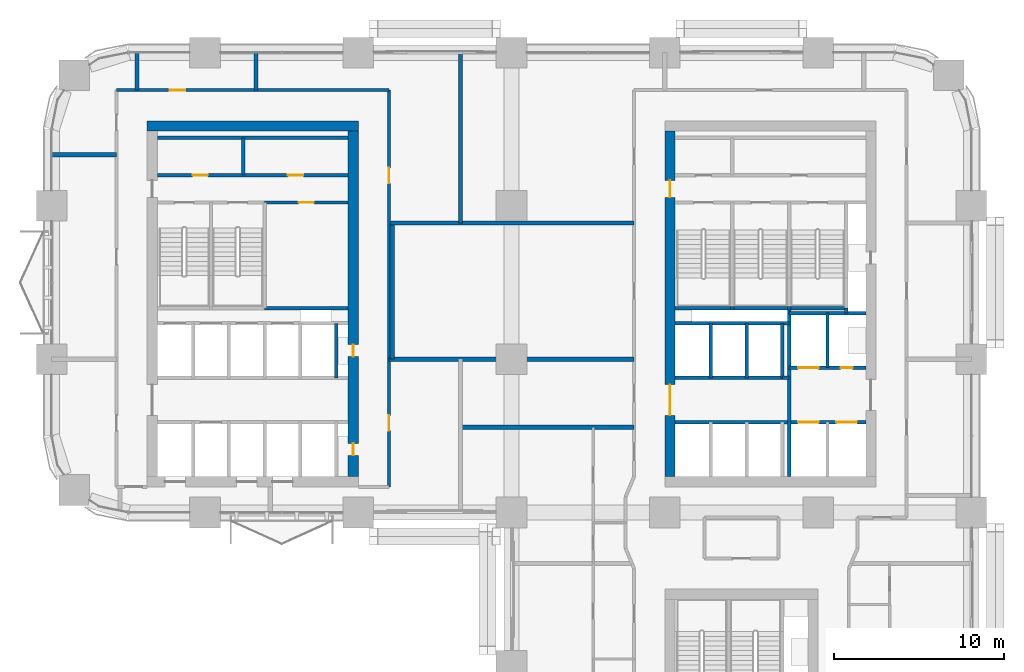
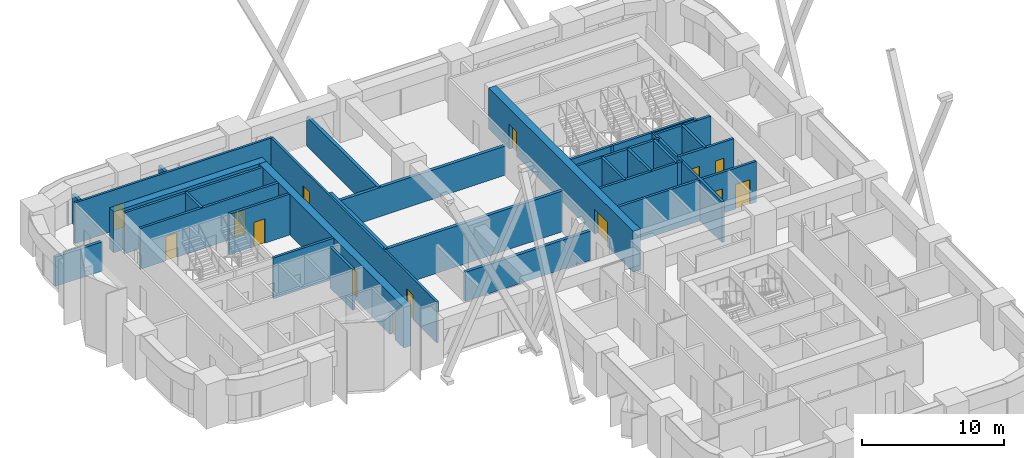
# One storey, part 15 of 19: 36 walls, 14 doors, 14 openings.
"""IFC4 building model written with IfcOpenShell, lengths in metres."""

from ifc_helpers import new_model, si_unit, direction, frame, frame_2d, origin, place, context, subcontext, project, spatial, rectangle, extrude, material, layer, layer_set, type_object, element, fill, save


model = new_model("IFC4")

# Units and contexts
model_context = context("Model", 3, precision=1e-05, world=origin(), true_north=direction((0.0, 1.0)))
body_context = subcontext(model_context, "Body", "Model", "MODEL_VIEW")
ifc_project = project(units=[si_unit("LENGTHUNIT", "METRE"), si_unit("AREAUNIT", "SQUARE_METRE"), si_unit("VOLUMEUNIT", "CUBIC_METRE"), si_unit("PLANEANGLEUNIT", "RADIAN"), si_unit("MASSUNIT", "GRAM", prefix="KILO")], contexts=[model_context])

# Site, building, storey
site_placement = place(None, origin())
site = spatial("IfcSite", under=ifc_project, at=site_placement, CompositionType="ELEMENT")
building_placement = place(site_placement, origin())
building = spatial("IfcBuilding", under=site, at=building_placement, Name="Tessera Arch", CompositionType="ELEMENT")
storey_placement = place(building_placement, frame((0.0, 0.0, 108.199951171875)))
storey = spatial("IfcBuildingStorey", under=building, at=storey_placement, Name="L25", CompositionType="ELEMENT", Elevation=108.199951171875)

# Walls
ifc_material_1 = material(Name="Gypsum board on steel stud", Category="steel")
ifc_layer_1 = layer(ifc_material_1, 0.125)
ifc_layer_set_1 = layer_set([ifc_layer_1], Name="Core partition 125 EI 60")
wall_type_1 = type_object("IfcWallType", Name="Core partition 125 EI 60", PredefinedType="PARTITIONING", material=ifc_layer_set_1)
wall_1_placement = place(storey_placement, frame((42.89990234375, 34.89990234375, 0.0), z_axis=(0.0, 0.0, 1.0), x_axis=(1.0, 0.0, 0.0)))
element("IfcWall", 1, at=wall_1_placement, inside=storey, type_object=wall_type_1, Name="L25 C1 partition wall 19", PredefinedType="PARTITIONING", context=body_context, shape_type="SweptSolid", body=[
    extrude(rectangle(XDim=0.400146484375, YDim=0.199951171875, at=frame_2d((0.2001953125, 0.0))), origin(), (0.0, 0.0, 1.0), 3.5),
])
wall_2_placement = place(storey_placement, frame((11.239990234375, 46.800048828125, 0.0), z_axis=(0.0, 0.0, 1.0), x_axis=(0.0, 1.0, 0.0)))
element("IfcWall", 2, at=wall_2_placement, inside=storey, type_object=wall_type_1, Name="L25 C2 partition wall 7", PredefinedType="PARTITIONING", context=body_context, shape_type="SweptSolid", body=[
    extrude(rectangle(XDim=2.199951171875, YDim=0.199951171875, at=frame_2d((1.10009765625, 0.0))), origin(), (0.0, 0.0, 1.0), 3.5),
])

# Wall, opening, door
wall_3_placement = place(storey_placement, frame((12.5, 45.199951171875, 0.0), z_axis=(0.0, 0.0, 1.0), x_axis=(1.0, 0.0, 0.0)))
wall_3 = element("IfcWall", 3, at=wall_3_placement, inside=storey, type_object=wall_type_1, Name="L25 C2 partition wall 23", PredefinedType="PARTITIONING", context=body_context, shape_type="SweptSolid", body=[
    extrude(rectangle(XDim=4.89990234375, YDim=0.199951171875, at=frame_2d((2.449951171875, 0.0))), origin(), (0.0, 0.0, 1.0), 3.5),
])
opening_1_placement = place(wall_3_placement, frame((2.0, 0.0, 0.0)))
opening_1 = element("IfcOpeningElement", 4, at=opening_1_placement, cuts=wall_3, Name="Opening L25-C30", PredefinedType="OPENING", context=body_context, shape_type="SweptSolid", body=[
    extrude(rectangle(XDim=0.89990234375, YDim=2.10009765625, at=frame_2d((0.449951171875, 1.050048828125))), frame((0.0, 0.10986328125, 0.0), z_axis=(0.0, -1.0, 0.0), x_axis=(1.0, 0.0, 0.0)), (0.0, 0.0, 1.0), 0.219970703125),
])
ifc_material_2 = material(Name="Steel door leaf", Category="steel")
door_type_1 = type_object("IfcDoorType", Name="Store door FD30S 900 x 2100", OperationType="SINGLE_SWING_LEFT", PredefinedType="DOOR", material=ifc_material_2)
door_1_placement = place(opening_1_placement, origin())
door_1 = element("IfcDoor", 5, at=door_1_placement, inside=storey, type_object=door_type_1, Name="L25 C2 door 17 C30 type D09", OperationType="SINGLE_SWING_RIGHT", OverallHeight=2.10009765625, OverallWidth=0.89990234375, PredefinedType="DOOR", context=body_context, shape_type="SweptSolid", body=[
    extrude(rectangle(XDim=0.89990234375, YDim=2.10009765625, at=frame_2d((0.449951171875, 1.050048828125))), frame((0.0, 0.02490234375, 0.0), z_axis=(0.0, -1.0, 0.0), x_axis=(1.0, 0.0, 0.0)), (0.0, 0.0, 1.0), 0.050048828125),
])
fill(opening_1, door_1)

# Wall, openings, doors
wall_4_placement = place(storey_placement, frame((6.199951171875, 46.800048828125, 0.0), z_axis=(0.0, 0.0, 1.0), x_axis=(1.0, 0.0, 0.0)))
wall_4 = element("IfcWall", 6, at=wall_4_placement, inside=storey, type_object=wall_type_1, Name="L25 C2 partition wall 25", PredefinedType="PARTITIONING", context=body_context, shape_type="SweptSolid", body=[
    extrude(rectangle(XDim=11.199951171875, YDim=0.199951171875, at=frame_2d((5.60009765625, 0.0))), origin(), (0.0, 0.0, 1.0), 3.5),
])
opening_2_placement = place(wall_4_placement, frame((2.070068359375, 0.0, 0.0)))
opening_2 = element("IfcOpeningElement", 7, at=opening_2_placement, cuts=wall_4, Name="Opening L25-C28", PredefinedType="OPENING", context=body_context, shape_type="SweptSolid", body=[
    extrude(rectangle(XDim=0.89990234375, YDim=2.10009765625, at=frame_2d((0.449951171875, 1.050048828125))), frame((0.0, 0.10986328125, 0.0), z_axis=(0.0, -1.0, 0.0), x_axis=(1.0, 0.0, 0.0)), (0.0, 0.0, 1.0), 0.219970703125),
])
opening_3_placement = place(wall_4_placement, frame((7.669921875, 0.0, 0.0)))
opening_3 = element("IfcOpeningElement", 8, at=opening_3_placement, cuts=wall_4, Name="Opening L25-C29", PredefinedType="OPENING", context=body_context, shape_type="SweptSolid", body=[
    extrude(rectangle(XDim=0.89990234375, YDim=2.10009765625, at=frame_2d((0.449951171875, 1.050048828125))), frame((0.0, 0.10986328125, 0.0), z_axis=(0.0, -1.0, 0.0), x_axis=(1.0, 0.0, 0.0)), (0.0, 0.0, 1.0), 0.219970703125),
])
door_2_placement = place(opening_2_placement, origin())
door_2 = element("IfcDoor", 9, at=door_2_placement, inside=storey, type_object=door_type_1, Name="L25 C2 door 15 C28 type D09", OperationType="SINGLE_SWING_LEFT", OverallHeight=2.10009765625, OverallWidth=0.89990234375, PredefinedType="DOOR", context=body_context, shape_type="SweptSolid", body=[
    extrude(rectangle(XDim=0.89990234375, YDim=2.10009765625, at=frame_2d((0.449951171875, 1.050048828125))), frame((0.0, 0.02490234375, 0.0), z_axis=(0.0, -1.0, 0.0), x_axis=(1.0, 0.0, 0.0)), (0.0, 0.0, 1.0), 0.050048828125),
])
fill(opening_2, door_2)
door_3_placement = place(opening_3_placement, origin())
door_3 = element("IfcDoor", 10, at=door_3_placement, inside=storey, type_object=door_type_1, Name="L25 C2 door 16 C29 type D09", OperationType="SINGLE_SWING_RIGHT", OverallHeight=2.10009765625, OverallWidth=0.89990234375, PredefinedType="DOOR", context=body_context, shape_type="SweptSolid", body=[
    extrude(rectangle(XDim=0.89990234375, YDim=2.10009765625, at=frame_2d((0.449951171875, 1.050048828125))), frame((0.0, 0.02490234375, 0.0), z_axis=(0.0, -1.0, 0.0), x_axis=(1.0, 0.0, 0.0)), (0.0, 0.0, 1.0), 0.050048828125),
])
fill(opening_3, door_3)

# Wall
wall_5_placement = place(storey_placement, frame((6.199951171875, 49.0, 0.0), z_axis=(0.0, 0.0, 1.0), x_axis=(1.0, 0.0, 0.0)))
element("IfcWall", 11, at=wall_5_placement, inside=storey, type_object=wall_type_1, Name="L25 C2 partition wall 26", PredefinedType="PARTITIONING", context=body_context, shape_type="SweptSolid", body=[
    extrude(rectangle(XDim=11.199951171875, YDim=0.199951171875, at=frame_2d((5.60009765625, 0.0))), origin(), (0.0, 0.0, 1.0), 3.5),
])

# Wall, openings, doors
ifc_material_3 = material(Name="Concrete C70/85", Category="concrete")
ifc_layer_2 = layer(ifc_material_3, 0.60009765625)
ifc_layer_set_2 = layer_set([ifc_layer_2], Name="Core shell wall 600 C70-85")
wall_type_2 = type_object("IfcWallType", Name="Core shell wall 600 C70-85", PredefinedType="SHEAR", material=ifc_layer_set_2)
wall_6_placement = place(storey_placement, frame((36.300048828125, 29.10009765625, 0.0), z_axis=(0.0, 0.0, 1.0), x_axis=(0.0, 1.0, 0.0)))
wall_6 = element("IfcWall", 12, at=wall_6_placement, inside=storey, type_object=wall_type_2, Name="L25 C1 core wall W", PredefinedType="SHEAR", context=body_context, shape_type="SweptSolid", body=[
    extrude(rectangle(XDim=20.2998046875, YDim=0.60009765625, at=frame_2d((10.14990234375, 0.0))), origin(), (0.0, 0.0, 1.0), 3.5),
])
opening_4_placement = place(wall_6_placement, frame((3.60009765625, 0.0, 0.0)))
opening_4 = element("IfcOpeningElement", 13, at=opening_4_placement, cuts=wall_6, Name="Opening L25-C04", PredefinedType="OPENING", context=body_context, shape_type="SweptSolid", body=[
    extrude(rectangle(XDim=1.800048828125, YDim=2.10009765625, at=frame_2d((0.89990234375, 1.050048828125))), frame((0.0, 0.31005859375, 0.0), z_axis=(0.0, -1.0, 0.0), x_axis=(1.0, 0.0, 0.0)), (0.0, 0.0, 1.0), 0.6201171875),
])
opening_5_placement = place(wall_6_placement, frame((16.39990234375, 0.0, 0.0)))
opening_5 = element("IfcOpeningElement", 14, at=opening_5_placement, cuts=wall_6, Name="Opening L25-C11", PredefinedType="OPENING", context=body_context, shape_type="SweptSolid", body=[
    extrude(rectangle(XDim=1.0, YDim=2.10009765625, at=frame_2d((0.5, 1.050048828125))), frame((0.0, 0.31005859375, 0.0), z_axis=(0.0, -1.0, 0.0), x_axis=(1.0, 0.0, 0.0)), (0.0, 0.0, 1.0), 0.6201171875),
])
ifc_material_4 = material(Name="Steel door leaf", Category="steel")
door_type_2 = type_object("IfcDoorType", Name="Corridor door FD60 1000 x 2100", OperationType="SINGLE_SWING_LEFT", PredefinedType="DOOR", material=ifc_material_4)
door_4_placement = place(opening_5_placement, origin())
door_4 = element("IfcDoor", 15, at=door_4_placement, inside=storey, type_object=door_type_2, Name="L25 C1 door 11 C11 type D12", OperationType="SINGLE_SWING_RIGHT", OverallHeight=2.10009765625, OverallWidth=1.0, PredefinedType="DOOR", context=body_context, shape_type="SweptSolid", body=[
    extrude(rectangle(XDim=1.0, YDim=2.10009765625, at=frame_2d((0.5, 1.050048828125))), frame((0.0, 0.02490234375, 0.0), z_axis=(0.0, -1.0, 0.0), x_axis=(1.0, 0.0, 0.0)), (0.0, 0.0, 1.0), 0.050048828125),
])
fill(opening_5, door_4)
ifc_material_5 = material(Name="Glazed steel door leaf", Category="steel")
door_type_3 = type_object("IfcDoorType", Name="Lobby double door FD30S 1800 x 2100", OperationType="DOUBLE_DOOR_SINGLE_SWING", PredefinedType="DOOR", material=ifc_material_5)
door_5_placement = place(opening_4_placement, origin())
door_5 = element("IfcDoor", 16, at=door_5_placement, inside=storey, type_object=door_type_3, Name="L25 C1 door 4 C04 type D06", OperationType="DOUBLE_DOOR_SINGLE_SWING", OverallHeight=2.10009765625, OverallWidth=1.800048828125, PredefinedType="DOOR", context=body_context, shape_type="SweptSolid", body=[
    extrude(rectangle(XDim=1.800048828125, YDim=2.10009765625, at=frame_2d((0.89990234375, 1.050048828125))), frame((0.0, 0.02490234375, 0.0), z_axis=(0.0, -1.0, 0.0), x_axis=(1.0, 0.0, 0.0)), (0.0, 0.0, 1.0), 0.050048828125),
])
fill(opening_4, door_5)

# Wall
wall_7_placement = place(storey_placement, frame((5.60009765625, 49.699951171875, 0.0), z_axis=(0.0, 0.0, 1.0), x_axis=(1.0, 0.0, 0.0)))
element("IfcWall", 17, at=wall_7_placement, inside=storey, type_object=wall_type_2, Name="L25 C2 core wall N", PredefinedType="SHEAR", context=body_context, shape_type="SweptSolid", body=[
    extrude(rectangle(XDim=12.39990234375, YDim=0.60009765625, at=frame_2d((6.199951171875, 0.0))), origin(), (0.0, 0.0, 1.0), 3.5),
])

# Wall, openings, doors
wall_8_placement = place(storey_placement, frame((17.699951171875, 29.10009765625, 0.0), z_axis=(0.0, 0.0, 1.0), x_axis=(0.0, 1.0, 0.0)))
wall_8 = element("IfcWall", 18, at=wall_8_placement, inside=storey, type_object=wall_type_2, Name="L25 C2 core wall E", PredefinedType="SHEAR", context=body_context, shape_type="SweptSolid", body=[
    extrude(rectangle(XDim=20.2998046875, YDim=0.60009765625, at=frame_2d((10.14990234375, 0.0))), origin(), (0.0, 0.0, 1.0), 3.5),
])
opening_6_placement = place(wall_8_placement, frame((1.25, 0.0, 0.0)))
opening_6 = element("IfcOpeningElement", 19, at=opening_6_placement, cuts=wall_8, Name="Opening L25-C22", PredefinedType="OPENING", context=body_context, shape_type="SweptSolid", body=[
    extrude(rectangle(XDim=0.699951171875, YDim=2.10009765625, at=frame_2d((0.35009765625, 1.050048828125))), frame((0.0, 0.31005859375, 0.0), z_axis=(0.0, -1.0, 0.0), x_axis=(1.0, 0.0, 0.0)), (0.0, 0.0, 1.0), 0.6201171875),
])
opening_7_placement = place(wall_8_placement, frame((7.050048828125, 0.0, 0.0)))
opening_7 = element("IfcOpeningElement", 20, at=opening_7_placement, cuts=wall_8, Name="Opening L25-C23", PredefinedType="OPENING", context=body_context, shape_type="SweptSolid", body=[
    extrude(rectangle(XDim=0.699951171875, YDim=2.10009765625, at=frame_2d((0.35009765625, 1.050048828125))), frame((0.0, 0.31005859375, 0.0), z_axis=(0.0, -1.0, 0.0), x_axis=(1.0, 0.0, 0.0)), (0.0, 0.0, 1.0), 0.6201171875),
])
ifc_material_6 = material(Name="Steel door leaf", Category="steel")
door_type_4 = type_object("IfcDoorType", Name="Service shaft door FD60 700 x 2100", OperationType="SINGLE_SWING_LEFT", PredefinedType="DOOR", material=ifc_material_6)
door_6_placement = place(opening_6_placement, origin())
door_6 = element("IfcDoor", 21, at=door_6_placement, inside=storey, type_object=door_type_4, Name="L25 C2 door 9 C22 type D07", OperationType="SINGLE_SWING_LEFT", OverallHeight=2.10009765625, OverallWidth=0.699951171875, PredefinedType="DOOR", context=body_context, shape_type="SweptSolid", body=[
    extrude(rectangle(XDim=0.699951171875, YDim=2.10009765625, at=frame_2d((0.35009765625, 1.050048828125))), frame((0.0, 0.02490234375, 0.0), z_axis=(0.0, -1.0, 0.0), x_axis=(1.0, 0.0, 0.0)), (0.0, 0.0, 1.0), 0.050048828125),
])
fill(opening_6, door_6)
door_7_placement = place(opening_7_placement, origin())
door_7 = element("IfcDoor", 22, at=door_7_placement, inside=storey, type_object=door_type_4, Name="L25 C2 door 10 C23 type D07", OperationType="SINGLE_SWING_LEFT", OverallHeight=2.10009765625, OverallWidth=0.699951171875, PredefinedType="DOOR", context=body_context, shape_type="SweptSolid", body=[
    extrude(rectangle(XDim=0.699951171875, YDim=2.10009765625, at=frame_2d((0.35009765625, 1.050048828125))), frame((0.0, 0.02490234375, 0.0), z_axis=(0.0, -1.0, 0.0), x_axis=(1.0, 0.0, 0.0)), (0.0, 0.0, 1.0), 0.050048828125),
])
fill(opening_7, door_7)

# Wall, opening, door
ifc_material_7 = material(Name="Gypsum board on deep steel stud with mineral wool", Category="steel")
ifc_layer_3 = layer(ifc_material_7, 0.175048828125)
ifc_layer_set_3 = layer_set([ifc_layer_3], Name="Corridor wall 175 EI 60")
wall_type_3 = type_object("IfcWallType", Name="Corridor wall 175 EI 60", PredefinedType="PARTITIONING", material=ifc_layer_set_3)
wall_9_placement = place(storey_placement, frame((3.800048828125, 51.800048828125, 0.0), z_axis=(0.0, 0.0, 1.0), x_axis=(1.0, 0.0, 0.0)))
wall_9 = element("IfcWall", 23, at=wall_9_placement, inside=storey, type_object=wall_type_3, Name="L25 partition 7", PredefinedType="PARTITIONING", context=body_context, shape_type="SweptSolid", body=[
    extrude(rectangle(XDim=16.0, YDim=0.175048828125, at=frame_2d((8.0, 0.0))), origin(), (0.0, 0.0, 1.0), 3.5),
])
opening_8_placement = place(wall_9_placement, frame((3.136962890625, 0.0, 0.0)))
opening_8 = element("IfcOpeningElement", 24, at=opening_8_placement, cuts=wall_9, Name="Opening L25-D037", PredefinedType="OPENING", context=body_context, shape_type="SweptSolid", body=[
    extrude(rectangle(XDim=0.89990234375, YDim=2.10009765625, at=frame_2d((0.449951171875, 1.050048828125))), frame((0.0, 0.097412109375, 0.0), z_axis=(0.0, -1.0, 0.0), x_axis=(1.0, 0.0, 0.0)), (0.0, 0.0, 1.0), 0.195068359375),
])
ifc_material_8 = material(Name="Timber door leaf", Category="wood")
door_type_5 = type_object("IfcDoorType", Name="Room door 900 x 2100", OperationType="SINGLE_SWING_LEFT", PredefinedType="DOOR", material=ifc_material_8)
door_8_placement = place(opening_8_placement, origin())
door_8 = element("IfcDoor", 25, at=door_8_placement, inside=storey, type_object=door_type_5, Name="L25 door D037 type D01", OperationType="SINGLE_SWING_LEFT", OverallHeight=2.10009765625, OverallWidth=0.89990234375, PredefinedType="DOOR", context=body_context, shape_type="SweptSolid", body=[
    extrude(rectangle(XDim=0.89990234375, YDim=2.10009765625, at=frame_2d((0.449951171875, 1.050048828125))), frame((0.0, 0.02490234375, 0.0), z_axis=(0.0, -1.0, 0.0), x_axis=(1.0, 0.0, 0.0)), (0.0, 0.0, 1.0), 0.050048828125),
])
fill(opening_8, door_8)

# Wall, openings, doors
wall_10_placement = place(storey_placement, frame((19.800048828125, 28.5, 0.0), z_axis=(0.0, 0.0, 1.0), x_axis=(0.0, 1.0, 0.0)))
wall_10 = element("IfcWall", 26, at=wall_10_placement, inside=storey, type_object=wall_type_3, Name="L25 partition 10", PredefinedType="PARTITIONING", context=body_context, shape_type="SweptSolid", body=[
    extrude(rectangle(XDim=23.300048828125, YDim=0.175048828125, at=frame_2d((11.64990234375, 0.0))), origin(), (0.0, 0.0, 1.0), 3.5),
])
opening_9_placement = place(wall_10_placement, frame((3.300048828125, 0.0, 0.0)))
opening_9 = element("IfcOpeningElement", 27, at=opening_9_placement, cuts=wall_10, Name="Opening L25-D026", PredefinedType="OPENING", context=body_context, shape_type="SweptSolid", body=[
    extrude(rectangle(XDim=0.89990234375, YDim=2.10009765625, at=frame_2d((0.449951171875, 1.050048828125))), frame((0.0, 0.097412109375, 0.0), z_axis=(0.0, -1.0, 0.0), x_axis=(1.0, 0.0, 0.0)), (0.0, 0.0, 1.0), 0.195068359375),
])
opening_10_placement = place(wall_10_placement, frame((17.830078125, 0.0, 0.0)))
opening_10 = element("IfcOpeningElement", 28, at=opening_10_placement, cuts=wall_10, Name="Opening L25-D035", PredefinedType="OPENING", context=body_context, shape_type="SweptSolid", body=[
    extrude(rectangle(XDim=0.89990234375, YDim=2.10009765625, at=frame_2d((0.449951171875, 1.050048828125))), frame((0.0, 0.097412109375, 0.0), z_axis=(0.0, -1.0, 0.0), x_axis=(1.0, 0.0, 0.0)), (0.0, 0.0, 1.0), 0.195068359375),
])
door_9_placement = place(opening_9_placement, origin())
door_9 = element("IfcDoor", 29, at=door_9_placement, inside=storey, type_object=door_type_5, Name="L25 door D026 type D01", OperationType="SINGLE_SWING_LEFT", OverallHeight=2.10009765625, OverallWidth=0.89990234375, PredefinedType="DOOR", context=body_context, shape_type="SweptSolid", body=[
    extrude(rectangle(XDim=0.89990234375, YDim=2.10009765625, at=frame_2d((0.449951171875, 1.050048828125))), frame((0.0, 0.02490234375, 0.0), z_axis=(0.0, -1.0, 0.0), x_axis=(1.0, 0.0, 0.0)), (0.0, 0.0, 1.0), 0.050048828125),
])
fill(opening_9, door_9)
door_10_placement = place(opening_10_placement, origin())
door_10 = element("IfcDoor", 30, at=door_10_placement, inside=storey, type_object=door_type_5, Name="L25 door D035 type D01", OperationType="SINGLE_SWING_RIGHT", OverallHeight=2.10009765625, OverallWidth=0.89990234375, PredefinedType="DOOR", context=body_context, shape_type="SweptSolid", body=[
    extrude(rectangle(XDim=0.89990234375, YDim=2.10009765625, at=frame_2d((0.449951171875, 1.050048828125))), frame((0.0, 0.02490234375, 0.0), z_axis=(0.0, -1.0, 0.0), x_axis=(1.0, 0.0, 0.0)), (0.0, 0.0, 1.0), 0.050048828125),
])
fill(opening_10, door_10)

# Walls
ifc_material_9 = material(Name="Double gypsum board on twin steel stud with acoustic mineral wool", Category="steel")
ifc_layer_4 = layer(ifc_material_9, 0.25)
ifc_layer_set_4 = layer_set([ifc_layer_4], Name="Party wall 250 EI 60")
wall_type_4 = type_object("IfcWallType", Name="Party wall 250 EI 60", PredefinedType="PARTITIONING", material=ifc_layer_set_4)
wall_11_placement = place(storey_placement, frame((24.0, 32.0, 0.0), z_axis=(0.0, 0.0, 1.0), x_axis=(1.0, 0.0, 0.0)))
element("IfcWall", 31, at=wall_11_placement, inside=storey, type_object=wall_type_4, Name="L25 partition 33", PredefinedType="PARTITIONING", context=body_context, shape_type="SweptSolid", body=[
    extrude(rectangle(XDim=10.199951171875, YDim=0.25, at=frame_2d((5.10009765625, 0.0))), origin(), (0.0, 0.0, 1.0), 2.5),
])
wall_12_placement = place(storey_placement, frame((19.800048828125, 36.0, 0.0), z_axis=(0.0, 0.0, 1.0), x_axis=(1.0, 0.0, 0.0)))
element("IfcWall", 32, at=wall_12_placement, inside=storey, type_object=wall_type_4, Name="L25 partition 35", PredefinedType="PARTITIONING", context=body_context, shape_type="SweptSolid", body=[
    extrude(rectangle(XDim=14.39990234375, YDim=0.25, at=frame_2d((7.199951171875, 0.0))), origin(), (0.0, 0.0, 1.0), 3.5),
])
wall_13_placement = place(storey_placement, frame((19.875, 44.0, 0.0), z_axis=(0.0, 0.0, 1.0), x_axis=(1.0, 0.0, 0.0)))
element("IfcWall", 33, at=wall_13_placement, inside=storey, type_object=wall_type_4, Name="L25 partition 37", PredefinedType="PARTITIONING", context=body_context, shape_type="SweptSolid", body=[
    extrude(rectangle(XDim=14.324951171875, YDim=0.25, at=frame_2d((7.16259765625, 0.0))), origin(), (0.0, 0.0, 1.0), 2.5),
])
wall_14_placement = place(storey_placement, frame((0.0, 48.0, 0.0), z_axis=(0.0, 0.0, 1.0), x_axis=(1.0, 0.0, 0.0)))
element("IfcWall", 34, at=wall_14_placement, inside=storey, type_object=wall_type_4, Name="L25 partition 39", PredefinedType="PARTITIONING", context=body_context, shape_type="SweptSolid", body=[
    extrude(rectangle(XDim=3.800048828125, YDim=0.25, at=frame_2d((1.89990234375, 0.0))), origin(), (0.0, 0.0, 1.0), 2.5),
])
for number, where, z_axis, x_axis, name in (
    (35, (5.010009765625, 51.800048828125, 0.0), (0.0, 0.0, 1.0), (0.0, 1.0, 0.0), "L25 partition 41"),
    (36, (12.0, 51.800048828125, 0.0), (0.0, 0.0, 1.0), (0.0, 1.0, 0.0), "L25 partition 42"),
):
    element("IfcWall", number, at=place(storey_placement, frame(where, z_axis=z_axis, x_axis=x_axis)), inside=storey, type_object=wall_type_4, Name=name, PredefinedType="PARTITIONING", context=body_context, shape_type="SweptSolid", body=[
        extrude(rectangle(XDim=2.199951171875, YDim=0.25, at=frame_2d((1.10009765625, 0.0))), origin(), (0.0, 0.0, 1.0), 2.5),
    ])
wall_15_placement = place(storey_placement, frame((20.0, 36.0, 0.0), z_axis=(0.0, 0.0, 1.0), x_axis=(0.0, 1.0, 0.0)))
element("IfcWall", 37, at=wall_15_placement, inside=storey, type_object=wall_type_4, Name="L25 partition 44", PredefinedType="PARTITIONING", context=body_context, shape_type="SweptSolid", body=[
    extrude(rectangle(XDim=7.875, YDim=0.25, at=frame_2d((3.9375, 0.0))), origin(), (0.0, 0.0, 1.0), 3.5),
])
wall_16_placement = place(storey_placement, frame((24.0, 44.0, 0.0), z_axis=(0.0, 0.0, 1.0), x_axis=(0.0, 1.0, 0.0)))
element("IfcWall", 38, at=wall_16_placement, inside=storey, type_object=wall_type_4, Name="L25 partition 46", PredefinedType="PARTITIONING", context=body_context, shape_type="SweptSolid", body=[
    extrude(rectangle(XDim=10.0, YDim=0.25, at=frame_2d((5.0, 0.0))), origin(), (0.0, 0.0, 1.0), 2.5),
])
ifc_material_10 = material(Name="Concrete C40/50", Category="concrete")
ifc_layer_5 = layer(ifc_material_10, 0.199951171875)
ifc_layer_set_5 = layer_set([ifc_layer_5], Name="Shaft wall 200 EI 120")
wall_type_5 = type_object("IfcWallType", Name="Shaft wall 200 EI 120", PredefinedType="SOLIDWALL", material=ifc_layer_set_5)
for number, where, z_axis, x_axis, name in (
    (39, (38.699951171875, 34.89990234375, 0.0), (0.0, 0.0, 1.0), (0.0, 1.0, 0.0), "L25 C1 shaft wall 2"),
    (40, (40.800048828125, 34.89990234375, 0.0), (0.0, 0.0, 1.0), (0.0, 1.0, 0.0), "L25 C1 shaft wall 7"),
    (41, (42.89990234375, 34.89990234375, 0.0), (0.0, 0.0, 1.0), (0.0, 1.0, 0.0), "L25 C1 shaft wall 9"),
):
    element("IfcWall", number, at=place(storey_placement, frame(where, z_axis=z_axis, x_axis=x_axis)), inside=storey, type_object=wall_type_5, Name=name, PredefinedType="SOLIDWALL", context=body_context, shape_type="SweptSolid", body=[
        extrude(rectangle(XDim=3.2001953125, YDim=0.199951171875, at=frame_2d((1.60009765625, 0.0))), origin(), (0.0, 0.0, 1.0), 3.5),
    ])
wall_17_placement = place(storey_placement, frame((43.300048828125, 29.10009765625, 0.0), z_axis=(0.0, 0.0, 1.0), x_axis=(0.0, 1.0, 0.0)))
element("IfcWall", 42, at=wall_17_placement, inside=storey, type_object=wall_type_5, Name="L25 C1 shaft wall 10", PredefinedType="SOLIDWALL", context=body_context, shape_type="SweptSolid", body=[
    extrude(rectangle(XDim=9.89990234375, YDim=0.199951171875, at=frame_2d((4.949951171875, 0.0))), origin(), (0.0, 0.0, 1.0), 3.5),
])
wall_18_placement = place(storey_placement, frame((45.550048828125, 35.5, 0.0), z_axis=(0.0, 0.0, 1.0), x_axis=(0.0, 1.0, 0.0)))
element("IfcWall", 43, at=wall_18_placement, inside=storey, type_object=wall_type_5, Name="L25 C1 shaft wall 14", PredefinedType="SOLIDWALL", context=body_context, shape_type="SweptSolid", body=[
    extrude(rectangle(XDim=3.199951171875, YDim=0.199951171875, at=frame_2d((1.60009765625, 0.0))), origin(), (0.0, 0.0, 1.0), 3.5),
])
wall_19_placement = place(storey_placement, frame((46.64990234375, 38.699951171875, 0.0), z_axis=(0.0, 0.0, 1.0), x_axis=(0.0, 1.0, 0.0)))
element("IfcWall", 44, at=wall_19_placement, inside=storey, type_object=wall_type_5, Name="L25 C1 shaft wall 15", PredefinedType="SOLIDWALL", context=body_context, shape_type="SweptSolid", body=[
    extrude(rectangle(XDim=0.300048828125, YDim=0.199951171875, at=frame_2d((0.14990234375, 0.0))), origin(), (0.0, 0.0, 1.0), 3.5),
])

# Wall, openings, doors
wall_20_placement = place(storey_placement, frame((36.60009765625, 32.300048828125, 0.0), z_axis=(0.0, 0.0, 1.0), x_axis=(1.0, 0.0, 0.0)))
wall_20 = element("IfcWall", 45, at=wall_20_placement, inside=storey, type_object=wall_type_5, Name="L25 C1 shaft wall 18", PredefinedType="SOLIDWALL", context=body_context, shape_type="SweptSolid", body=[
    extrude(rectangle(XDim=11.199951171875, YDim=0.199951171875, at=frame_2d((5.60009765625, 0.0))), origin(), (0.0, 0.0, 1.0), 3.5),
])
opening_11_placement = place(wall_20_placement, frame((7.22509765625, 0.0, 0.0)))
opening_11 = element("IfcOpeningElement", 46, at=opening_11_placement, cuts=wall_20, Name="Opening L25-C01", PredefinedType="OPENING", context=body_context, shape_type="SweptSolid", body=[
    extrude(rectangle(XDim=1.199951171875, YDim=2.10009765625, at=frame_2d((0.60009765625, 1.050048828125))), frame((0.0, 0.10986328125, 0.0), z_axis=(0.0, -1.0, 0.0), x_axis=(1.0, 0.0, 0.0)), (0.0, 0.0, 1.0), 0.219970703125),
])
opening_12_placement = place(wall_20_placement, frame((9.47509765625, 0.0, 0.0)))
opening_12 = element("IfcOpeningElement", 47, at=opening_12_placement, cuts=wall_20, Name="Opening L25-C02", PredefinedType="OPENING", context=body_context, shape_type="SweptSolid", body=[
    extrude(rectangle(XDim=1.199951171875, YDim=2.10009765625, at=frame_2d((0.60009765625, 1.050048828125))), frame((0.0, 0.10986328125, 0.0), z_axis=(0.0, -1.0, 0.0), x_axis=(1.0, 0.0, 0.0)), (0.0, 0.0, 1.0), 0.219970703125),
])
ifc_material_11 = material(Name="Stainless steel AISI 304", Category="steel")
door_type_6 = type_object("IfcDoorType", Name="Sliding landing door 1200 x 2100", OperationType="SLIDING_TO_LEFT", PredefinedType="DOOR", material=ifc_material_11)
door_11_placement = place(opening_11_placement, origin())
door_11 = element("IfcDoor", 48, at=door_11_placement, inside=storey, type_object=door_type_6, Name="L25 FF1 lift landing door C01 type LD", OperationType="SLIDING_TO_LEFT", OverallHeight=2.10009765625, OverallWidth=1.199951171875, PredefinedType="DOOR", context=body_context, shape_type="SweptSolid", body=[
    extrude(rectangle(XDim=1.199951171875, YDim=2.10009765625, at=frame_2d((0.60009765625, 1.050048828125))), frame((0.0, 0.02490234375, 0.0), z_axis=(0.0, -1.0, 0.0), x_axis=(1.0, 0.0, 0.0)), (0.0, 0.0, 1.0), 0.050048828125),
])
fill(opening_11, door_11)
door_12_placement = place(opening_12_placement, origin())
door_12 = element("IfcDoor", 49, at=door_12_placement, inside=storey, type_object=door_type_6, Name="L25 FF2 lift landing door C02 type LD", OperationType="SLIDING_TO_LEFT", OverallHeight=2.10009765625, OverallWidth=1.199951171875, PredefinedType="DOOR", context=body_context, shape_type="SweptSolid", body=[
    extrude(rectangle(XDim=1.199951171875, YDim=2.10009765625, at=frame_2d((0.60009765625, 1.050048828125))), frame((0.0, 0.02490234375, 0.0), z_axis=(0.0, -1.0, 0.0), x_axis=(1.0, 0.0, 0.0)), (0.0, 0.0, 1.0), 0.050048828125),
])
fill(opening_12, door_12)

# Wall
wall_21_placement = place(storey_placement, frame((36.60009765625, 34.89990234375, 0.0), z_axis=(0.0, 0.0, 1.0), x_axis=(1.0, 0.0, 0.0)))
element("IfcWall", 50, at=wall_21_placement, inside=storey, type_object=wall_type_5, Name="L25 C1 shaft wall 20", PredefinedType="SOLIDWALL", context=body_context, shape_type="SweptSolid", body=[
    extrude(rectangle(XDim=6.2998046875, YDim=0.199951171875, at=frame_2d((3.14990234375, 0.0))), origin(), (0.0, 0.0, 1.0), 3.5),
])

# Wall, openings, doors
wall_22_placement = place(storey_placement, frame((43.300048828125, 35.5, 0.0), z_axis=(0.0, 0.0, 1.0), x_axis=(1.0, 0.0, 0.0)))
wall_22 = element("IfcWall", 51, at=wall_22_placement, inside=storey, type_object=wall_type_5, Name="L25 C1 shaft wall 21", PredefinedType="SOLIDWALL", context=body_context, shape_type="SweptSolid", body=[
    extrude(rectangle(XDim=4.5, YDim=0.199951171875, at=frame_2d((2.25, 0.0))), origin(), (0.0, 0.0, 1.0), 3.5),
])
opening_13_placement = place(wall_22_placement, frame((0.52490234375, 0.0, 0.0)))
opening_13 = element("IfcOpeningElement", 52, at=opening_13_placement, cuts=wall_22, Name="Opening L25-C03", PredefinedType="OPENING", context=body_context, shape_type="SweptSolid", body=[
    extrude(rectangle(XDim=1.199951171875, YDim=2.10009765625, at=frame_2d((0.60009765625, 1.050048828125))), frame((0.0, 0.10986328125, 0.0), z_axis=(0.0, -1.0, 0.0), x_axis=(1.0, 0.0, 0.0)), (0.0, 0.0, 1.0), 0.219970703125),
])
opening_14_placement = place(wall_22_placement, frame((3.02490234375, 0.0, 0.0)))
opening_14 = element("IfcOpeningElement", 53, at=opening_14_placement, cuts=wall_22, Name="Opening L25-C10", PredefinedType="OPENING", context=body_context, shape_type="SweptSolid", body=[
    extrude(rectangle(XDim=0.699951171875, YDim=2.10009765625, at=frame_2d((0.35009765625, 1.050048828125))), frame((0.0, 0.10986328125, 0.0), z_axis=(0.0, -1.0, 0.0), x_axis=(1.0, 0.0, 0.0)), (0.0, 0.0, 1.0), 0.219970703125),
])
door_13_placement = place(opening_14_placement, origin())
door_13 = element("IfcDoor", 54, at=door_13_placement, inside=storey, type_object=door_type_4, Name="L25 C1 door 10 C10 type D07", OperationType="SINGLE_SWING_RIGHT", OverallHeight=2.10009765625, OverallWidth=0.699951171875, PredefinedType="DOOR", context=body_context, shape_type="SweptSolid", body=[
    extrude(rectangle(XDim=0.699951171875, YDim=2.10009765625, at=frame_2d((0.35009765625, 1.050048828125))), frame((0.0, 0.02490234375, 0.0), z_axis=(0.0, -1.0, 0.0), x_axis=(1.0, 0.0, 0.0)), (0.0, 0.0, 1.0), 0.050048828125),
])
fill(opening_14, door_13)
door_14_placement = place(opening_13_placement, origin())
door_14 = element("IfcDoor", 55, at=door_14_placement, inside=storey, type_object=door_type_6, Name="L25 SV2 lift landing door C03 type LD", OperationType="SLIDING_TO_LEFT", OverallHeight=2.10009765625, OverallWidth=1.199951171875, PredefinedType="DOOR", context=body_context, shape_type="SweptSolid", body=[
    extrude(rectangle(XDim=1.199951171875, YDim=2.10009765625, at=frame_2d((0.60009765625, 1.050048828125))), frame((0.0, 0.02490234375, 0.0), z_axis=(0.0, -1.0, 0.0), x_axis=(1.0, 0.0, 0.0)), (0.0, 0.0, 1.0), 0.050048828125),
])
fill(opening_13, door_14)

# Walls
wall_23_placement = place(storey_placement, frame((36.60009765625, 38.10009765625, 0.0), z_axis=(0.0, 0.0, 1.0), x_axis=(1.0, 0.0, 0.0)))
element("IfcWall", 56, at=wall_23_placement, inside=storey, type_object=wall_type_5, Name="L25 C1 shaft wall 22", PredefinedType="SOLIDWALL", context=body_context, shape_type="SweptSolid", body=[
    extrude(rectangle(XDim=6.699951171875, YDim=0.199951171875, at=frame_2d((3.35009765625, 0.0))), origin(), (0.0, 0.0, 1.0), 3.5),
])
wall_24_placement = place(storey_placement, frame((43.300048828125, 38.699951171875, 0.0), z_axis=(0.0, 0.0, 1.0), x_axis=(1.0, 0.0, 0.0)))
element("IfcWall", 57, at=wall_24_placement, inside=storey, type_object=wall_type_5, Name="L25 C1 shaft wall 23", PredefinedType="SOLIDWALL", context=body_context, shape_type="SweptSolid", body=[
    extrude(rectangle(XDim=4.5, YDim=0.199951171875, at=frame_2d((2.25, 0.0))), origin(), (0.0, 0.0, 1.0), 3.5),
])
wall_25_placement = place(storey_placement, frame((16.699951171875, 34.89990234375, 0.0), z_axis=(0.0, 0.0, 1.0), x_axis=(0.0, 1.0, 0.0)))
element("IfcWall", 58, at=wall_25_placement, inside=storey, type_object=wall_type_5, Name="L25 C2 shaft wall 15", PredefinedType="SOLIDWALL", context=body_context, shape_type="SweptSolid", body=[
    extrude(rectangle(XDim=3.2001953125, YDim=0.199951171875, at=frame_2d((1.60009765625, 0.0))), origin(), (0.0, 0.0, 1.0), 3.5),
])
wall_26_placement = place(storey_placement, frame((12.5, 39.0, 0.0), z_axis=(0.0, 0.0, 1.0), x_axis=(1.0, 0.0, 0.0)))
element("IfcWall", 59, at=wall_26_placement, inside=storey, type_object=wall_type_5, Name="L25 C2 shaft wall 19", PredefinedType="SOLIDWALL", context=body_context, shape_type="SweptSolid", body=[
    extrude(rectangle(XDim=4.89990234375, YDim=0.199951171875, at=frame_2d((2.449951171875, 0.0))), origin(), (0.0, 0.0, 1.0), 3.5),
])
ifc_material_12 = material(Name="Concrete C40/50", Category="concrete")
ifc_layer_6 = layer(ifc_material_12, 0.199951171875)
ifc_layer_set_6 = layer_set([ifc_layer_6], Name="Stair well wall 200 REI 180")
wall_type_6 = type_object("IfcWallType", Name="Stair well wall 200 REI 180", PredefinedType="SOLIDWALL", material=ifc_layer_set_6)
wall_27_placement = place(storey_placement, frame((36.60009765625, 39.0, 0.0), z_axis=(0.0, 0.0, 1.0), x_axis=(1.0, 0.0, 0.0)))
element("IfcWall", 60, at=wall_27_placement, inside=storey, type_object=wall_type_6, Name="L25 C1 shaft wall 24", PredefinedType="SOLIDWALL", context=body_context, shape_type="SweptSolid", body=[
    extrude(rectangle(XDim=3.25, YDim=0.199951171875, at=frame_2d((1.625, 0.0))), origin(), (0.0, 0.0, 1.0), 3.5),
])
wall_28_placement = place(storey_placement, frame((39.85009765625, 39.0, 0.0), z_axis=(0.0, 0.0, 1.0), x_axis=(1.0, 0.0, 0.0)))
element("IfcWall", 61, at=wall_28_placement, inside=storey, type_object=wall_type_6, Name="L25 C1 shaft wall 25", PredefinedType="SOLIDWALL", context=body_context, shape_type="SweptSolid", body=[
    extrude(rectangle(XDim=0.199951171875, YDim=0.199951171875, at=frame_2d((0.10009765625, 0.0))), origin(), (0.0, 0.0, 1.0), 3.5),
])
wall_29_placement = place(storey_placement, frame((40.050048828125, 39.0, 0.0), z_axis=(0.0, 0.0, 1.0), x_axis=(1.0, 0.0, 0.0)))
element("IfcWall", 62, at=wall_29_placement, inside=storey, type_object=wall_type_6, Name="L25 C1 shaft wall 26", PredefinedType="SOLIDWALL", context=body_context, shape_type="SweptSolid", body=[
    extrude(rectangle(XDim=3.14990234375, YDim=0.199951171875, at=frame_2d((1.574951171875, 0.0))), origin(), (0.0, 0.0, 1.0), 3.5),
])
wall_30_placement = place(storey_placement, frame((43.199951171875, 39.0, 0.0), z_axis=(0.0, 0.0, 1.0), x_axis=(1.0, 0.0, 0.0)))
element("IfcWall", 63, at=wall_30_placement, inside=storey, type_object=wall_type_6, Name="L25 C1 shaft wall 27", PredefinedType="SOLIDWALL", context=body_context, shape_type="SweptSolid", body=[
    extrude(rectangle(XDim=0.199951171875, YDim=0.199951171875, at=frame_2d((0.10009765625, 0.0))), origin(), (0.0, 0.0, 1.0), 3.5),
])
wall_31_placement = place(storey_placement, frame((43.39990234375, 39.0, 0.0), z_axis=(0.0, 0.0, 1.0), x_axis=(1.0, 0.0, 0.0)))
element("IfcWall", 64, at=wall_31_placement, inside=storey, type_object=wall_type_6, Name="L25 C1 shaft wall 28", PredefinedType="SOLIDWALL", context=body_context, shape_type="SweptSolid", body=[
    extrude(rectangle(XDim=3.25, YDim=0.199951171875, at=frame_2d((1.625, 0.0))), origin(), (0.0, 0.0, 1.0), 3.5),
])

save(model, "model.ifc")
